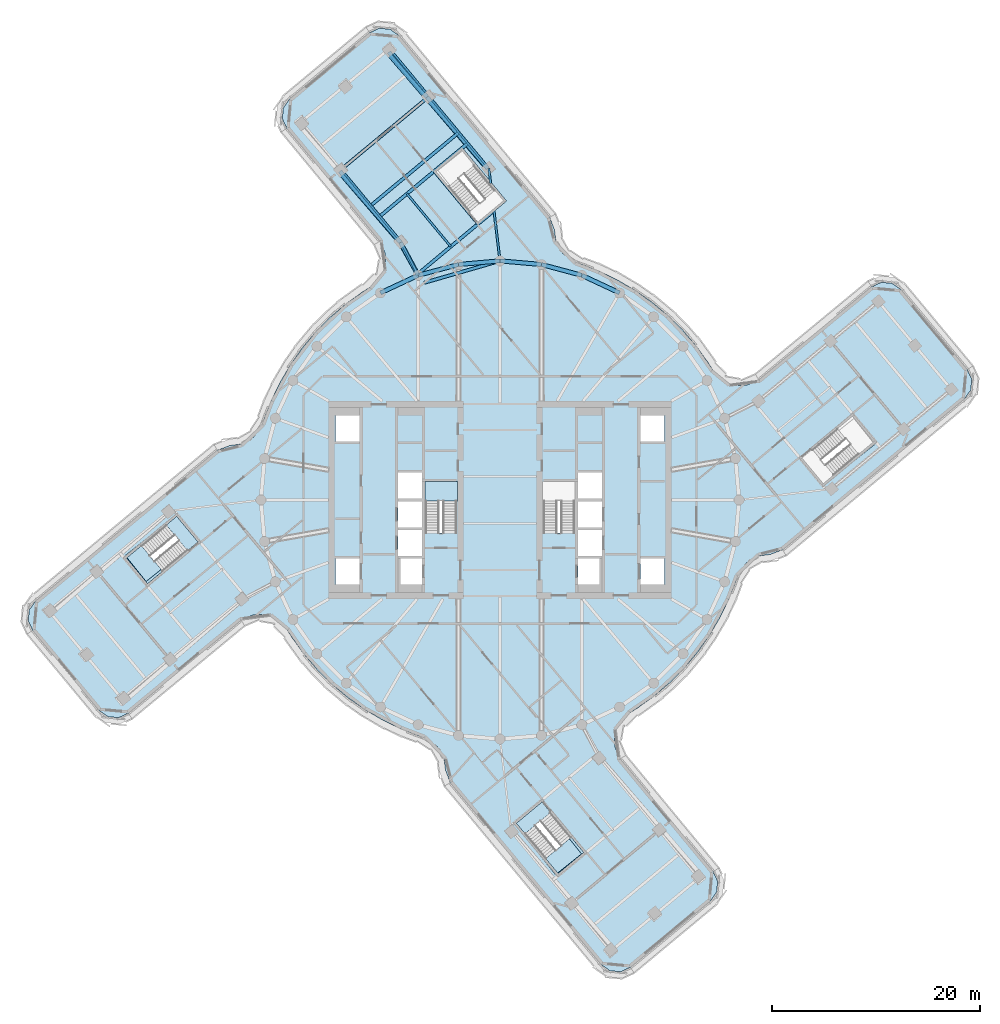
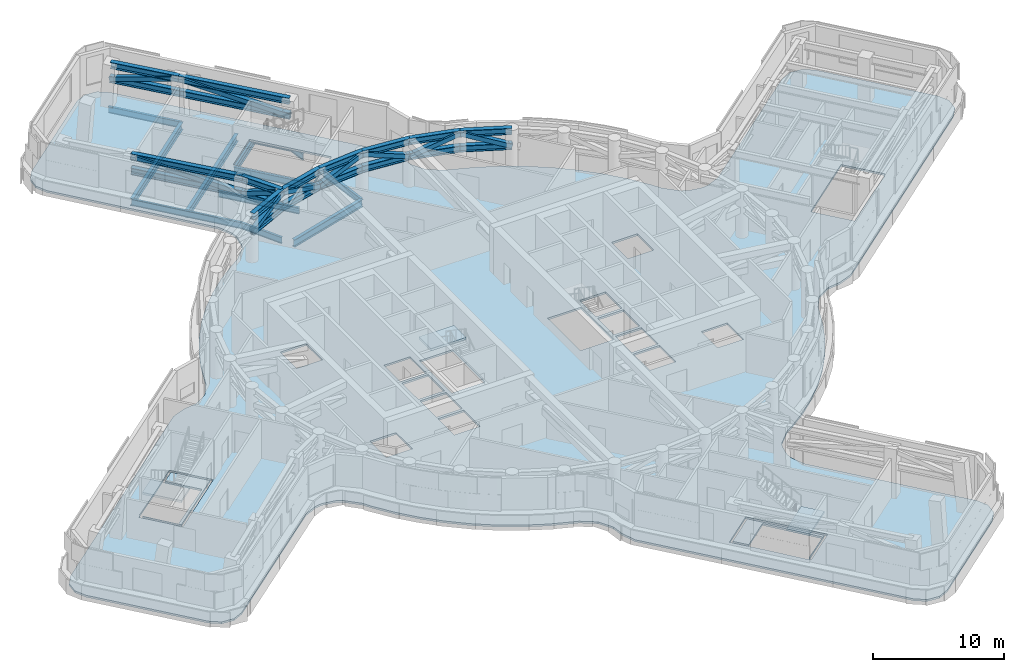
# One storey, part 5 of 22: 30 members, 13 beams, 6 slabs, 3 elements without a shape of their own.
"""IFC4 building model written with IfcOpenShell, lengths in metres."""

from ifc_helpers import new_model, si_unit, direction, frame, origin, origin_2d, place, context, subcontext, project, spatial, polyline, hollow_rectangle, i_section, outline, extrude, material, layer, layer_set, material_profile, profile_set, type_object, element, aggregate, save


model = new_model("IFC4")

# Units and contexts
model_context = context("Model", 3, precision=1e-05, world=origin(), true_north=direction((0.0, 1.0)))
body_context = subcontext(model_context, "Body", "Model", "MODEL_VIEW")
ifc_project = project(units=[si_unit("LENGTHUNIT", "METRE"), si_unit("AREAUNIT", "SQUARE_METRE"), si_unit("VOLUMEUNIT", "CUBIC_METRE"), si_unit("PLANEANGLEUNIT", "RADIAN"), si_unit("MASSUNIT", "GRAM", prefix="KILO")], contexts=[model_context])

# Site, building, storey
site_placement = place(None, origin())
site = spatial("IfcSite", under=ifc_project, at=site_placement, CompositionType="ELEMENT")
building_placement = place(site_placement, origin())
building = spatial("IfcBuilding", under=site, at=building_placement, Name="Tamarind Cross Interchange Tower", CompositionType="ELEMENT")
storey_placement = place(building_placement, frame((0.0, 0.0, 178.0)))
storey = spatial("IfcBuildingStorey", under=building, at=storey_placement, Name="L44", CompositionType="ELEMENT", Elevation=178.0)

# Beams
ifc_material_1 = material(Name="Steel Q355B", Category="steel")
ifc_material_profile_1 = material_profile(ifc_material_1, i_section(OverallWidth=0.199951171875, OverallDepth=0.60009765625, WebThickness=0.010986328125, FlangeThickness=0.01708984375, FilletRadius=0.012939453125, at=origin_2d()), Name="HN 600x200x11x17")
ifc_profile_set_1 = profile_set([ifc_material_profile_1], Name="Steel Q355B")
beam_type_1 = type_object("IfcBeamType", Name="Composite beam HN 600x200x11x17 Q355B", PredefinedType="BEAM", material=ifc_profile_set_1)
beam_1_placement = place(storey_placement, frame((-10.63232421875, 43.41552734375, -0.47998046875), z_axis=(0.638803347594, -0.769370056022, 0.0), x_axis=(0.769370056022, 0.638803347594, 0.0)))
element("IfcBeam", 1, at=beam_1_placement, inside=storey, type_object=beam_type_1, Name="Beam N-edgeem5", PredefinedType="BEAM", context=body_context, shape_type="SweptSolid", body=[
    extrude(i_section(OverallWidth=0.199951171875, OverallDepth=0.60009765625, WebThickness=0.010986328125, FlangeThickness=0.01708984375, FilletRadius=0.012939453125, at=origin_2d()), origin(), (0.0, 0.0, 1.0), 5.968505859375),
])
for number, where, z_axis, x_axis, name in (
    (2, (-6.819580078125, 38.823486328125, -0.47998046875), (0.638790523105, -0.769380703937, 0.0), (0.769380703937, 0.638790523105, 0.0), "Beam N-edgeem6"),
    (3, (-15.28271484375, 31.796630859375, -0.47998046875), (0.638790523105, -0.769380703937, 0.0), (0.769380703937, 0.638790523105, 0.0), "Beam N-edgeep3"),
):
    element("IfcBeam", number, at=place(storey_placement, frame(where, z_axis=z_axis, x_axis=x_axis)), inside=storey, type_object=beam_type_1, Name=name, PredefinedType="BEAM", context=body_context, shape_type="SweptSolid", body=[
        extrude(i_section(OverallWidth=0.199951171875, OverallDepth=0.60009765625, WebThickness=0.010986328125, FlangeThickness=0.01708984375, FilletRadius=0.012939453125, at=origin_2d()), origin(), (0.0, 0.0, 1.0), 8.999755859375),
    ])
beam_2_placement = place(storey_placement, frame((-1.070556640625, 31.899169921875, -0.47998046875), z_axis=(0.119491092996, -0.992835272689, 0.0), x_axis=(0.992835272689, 0.119491092996, 0.0)))
element("IfcBeam", 4, at=beam_2_placement, inside=storey, type_object=beam_type_1, Name="Beam N-linkemt0", PredefinedType="BEAM", context=body_context, shape_type="SweptSolid", body=[
    extrude(i_section(OverallWidth=0.199951171875, OverallDepth=0.60009765625, WebThickness=0.010986328125, FlangeThickness=0.01708984375, FilletRadius=0.012939453125, at=origin_2d()), origin(), (0.0, 0.0, 1.0), 1.47509765625),
])
beam_3_placement = place(storey_placement, frame((-0.587158203125, 27.88134765625, -0.47998046875), z_axis=(0.119425222156, -0.992843198251, 0.0), x_axis=(0.992843198251, 0.119425222156, 0.0)))
element("IfcBeam", 5, at=beam_3_placement, inside=storey, type_object=beam_type_1, Name="Beam N-linkemt1", PredefinedType="BEAM", context=body_context, shape_type="SweptSolid", body=[
    extrude(i_section(OverallWidth=0.199951171875, OverallDepth=0.60009765625, WebThickness=0.010986328125, FlangeThickness=0.01708984375, FilletRadius=0.012939453125, at=origin_2d()), origin(), (0.0, 0.0, 1.0), 4.91650390625),
])
beam_4_placement = place(storey_placement, frame((-9.53369140625, 24.872314453125, -0.47998046875), z_axis=(0.455410658908, -0.890281490178, 0.0), x_axis=(0.890281490178, 0.455410658908, 0.0)))
element("IfcBeam", 6, at=beam_4_placement, inside=storey, type_object=beam_type_1, Name="Beam N-linkep", PredefinedType="BEAM", context=body_context, shape_type="SweptSolid", body=[
    extrude(i_section(OverallWidth=0.199951171875, OverallDepth=0.60009765625, WebThickness=0.010986328125, FlangeThickness=0.01708984375, FilletRadius=0.012939453125, at=origin_2d()), origin(), (0.0, 0.0, 1.0), 3.660888671875),
])
for number, where, z_axis, x_axis, name in (
    (7, (-2.136474609375, 26.530029296875, -0.47998046875), (-0.63879710552, 0.769375238735, 0.0), (-0.769375238735, -0.63879710552, 0.0), "Beam N-tr1"),
    (8, (-4.733154296875, 24.3740234375, -0.47998046875), (-0.63879710552, 0.769375238735, 0.0), (-0.769375238735, -0.63879710552, 0.0), "Beam N-stripp"),
):
    element("IfcBeam", number, at=place(storey_placement, frame(where, z_axis=z_axis, x_axis=x_axis)), inside=storey, type_object=beam_type_1, Name=name, PredefinedType="BEAM", context=body_context, shape_type="SweptSolid", body=[
        extrude(i_section(OverallWidth=0.199951171875, OverallDepth=0.60009765625, WebThickness=0.010986328125, FlangeThickness=0.01708984375, FilletRadius=0.012939453125, at=origin_2d()), origin(), (0.0, 0.0, 1.0), 6.60009765625),
    ])
ifc_material_profile_2 = material_profile(ifc_material_1, i_section(OverallWidth=0.300048828125, OverallDepth=0.699951171875, WebThickness=0.012939453125, FlangeThickness=0.02392578125, FilletRadius=0.01806640625, at=origin_2d()), Name="HN 700x300x13x24")
ifc_profile_set_2 = profile_set([ifc_material_profile_2], Name="Steel Q355B")
beam_type_2 = type_object("IfcBeamType", Name="Composite beam HN 700x300x13x24 Q355B", PredefinedType="BEAM", material=ifc_profile_set_2)
beam_5_placement = place(storey_placement, frame((-0.580078125, 27.822265625, -0.530029296875), z_axis=(-0.769373120341, -0.638799656932, 0.0), x_axis=(0.638799656932, -0.769373120341, 0.0)))
element("IfcBeam", 9, at=beam_5_placement, inside=storey, type_object=beam_type_2, Name="Beam N-x268", PredefinedType="BEAM", context=body_context, shape_type="SweptSolid", body=[
    extrude(i_section(OverallWidth=0.300048828125, OverallDepth=0.699951171875, WebThickness=0.012939453125, FlangeThickness=0.02392578125, FilletRadius=0.01806640625, at=origin_2d()), origin(), (0.0, 0.0, 1.0), 9.545166015625),
])
for number, where, z_axis, x_axis, name in (
    (10, (-3.082763671875, 34.32275390625, -0.530029296875), (-0.769371602715, -0.638801484764, 0.0), (0.638801484764, -0.769371602715, 0.0), "Beam N-x334"),
    (11, (-6.819580078125, 38.823486328125, -0.530029296875), (-0.769371602715, -0.638801484764, 0.0), (0.638801484764, -0.769371602715, 0.0), "Beam N-x393"),
):
    element("IfcBeam", number, at=place(storey_placement, frame(where, z_axis=z_axis, x_axis=x_axis)), inside=storey, type_object=beam_type_2, Name=name, PredefinedType="BEAM", context=body_context, shape_type="SweptSolid", body=[
        extrude(i_section(OverallWidth=0.300048828125, OverallDepth=0.699951171875, WebThickness=0.012939453125, FlangeThickness=0.02392578125, FilletRadius=0.01806640625, at=origin_2d()), origin(), (0.0, 0.0, 1.0), 11.0),
    ])
beam_6_placement = place(storey_placement, frame((0.0, 23.0, -0.530029296875), z_axis=(-0.960743791751, -0.27743713993, 0.0), x_axis=(0.27743713993, -0.960743791751, 0.0)))
element("IfcBeam", 12, at=beam_6_placement, inside=storey, type_object=beam_type_2, Name="Beam N-x258", PredefinedType="BEAM", context=body_context, shape_type="SweptSolid", body=[
    extrude(i_section(OverallWidth=0.300048828125, OverallDepth=0.699951171875, WebThickness=0.012939453125, FlangeThickness=0.02392578125, FilletRadius=0.01806640625, at=origin_2d()), origin(), (0.0, 0.0, 1.0), 7.5712890625),
])
beam_7_placement = place(storey_placement, frame((-3.945068359375, 35.361328125, -0.530029296875), z_axis=(-0.769371602715, -0.638801484764, 0.0), x_axis=(0.638801484764, -0.769371602715, 0.0)))
element("IfcBeam", 13, at=beam_7_placement, inside=storey, type_object=beam_type_2, Name="Beam N-x348", PredefinedType="BEAM", context=body_context, shape_type="SweptSolid", body=[
    extrude(i_section(OverallWidth=0.300048828125, OverallDepth=0.699951171875, WebThickness=0.012939453125, FlangeThickness=0.02392578125, FilletRadius=0.01806640625, at=origin_2d()), origin(), (0.0, 0.0, 1.0), 11.0),
])

# Members
ifc_material_2 = material(Name="Steel Q420B", Category="steel")
ifc_material_profile_3 = material_profile(ifc_material_2, i_section(OverallWidth=0.39990234375, OverallDepth=0.60009765625, WebThickness=0.02490234375, FlangeThickness=0.0400390625, at=origin_2d()), Name="BH 600x400x25x40")
ifc_profile_set_3 = profile_set([ifc_material_profile_3], Name="Steel Q420B")
member_type_1 = type_object("IfcMemberType", Name="Truss chord BH 600x400x25x40 Q420B", PredefinedType="CHORD", material=ifc_profile_set_3)
for number, where, z_axis, x_axis, name in (
    (14, (11.5, 19.918701171875, 4.06005859375), (-0.906309113636, 0.422615416827, 0.0), (-0.422615416827, -0.906309113636, 0.0), "Belt truss ring top H06"),
    (15, (11.5, 19.918701171875, 2.64990234375), (-0.906309113636, 0.422615416827, 0.0), (-0.422615416827, -0.906309113636, 0.0), "Belt truss ring bottom H06"),
):
    element("IfcMember", number, at=place(storey_placement, frame(where, z_axis=z_axis, x_axis=x_axis)), inside=storey, type_object=member_type_1, Name=name, PredefinedType="CHORD", context=body_context, shape_type="SweptSolid", body=[
        extrude(i_section(OverallWidth=0.39990234375, OverallDepth=0.60009765625, WebThickness=0.02490234375, FlangeThickness=0.0400390625, at=origin_2d()), origin(), (0.0, 0.0, 1.0), 4.00927734375),
    ])
for number, where, z_axis, x_axis, name in (
    (16, (7.866455078125, 21.613037109375, 4.06005859375), (-0.96592902462, 0.258807108475, 0.0), (-0.258807108475, -0.96592902462, 0.0), "Belt truss ring top H07"),
    (17, (7.866455078125, 21.613037109375, 2.64990234375), (-0.96592902462, 0.258807108475, 0.0), (-0.258807108475, -0.96592902462, 0.0), "Belt truss ring bottom H07"),
    (18, (3.993896484375, 22.650634765625, 4.06005859375), (-0.996195898445, 0.087142021558, 0.0), (-0.087142021558, -0.996195898445, 0.0), "Belt truss ring top H08"),
    (19, (3.993896484375, 22.650634765625, 2.64990234375), (-0.996195898445, 0.087142021558, 0.0), (-0.087142021558, -0.996195898445, 0.0), "Belt truss ring bottom H08"),
    (20, (0.0, 23.0, 4.06005859375), (-0.996195898445, -0.087142021558, 0.0), (0.087142021558, -0.996195898445, 0.0), "Belt truss ring top H09"),
    (21, (0.0, 23.0, 2.64990234375), (-0.996195898445, -0.087142021558, 0.0), (0.087142021558, -0.996195898445, 0.0), "Belt truss ring bottom H09"),
    (22, (-3.993896484375, 22.650634765625, 4.06005859375), (-0.96592902462, -0.258807108475, 0.0), (0.258807108475, -0.96592902462, 0.0), "Belt truss ring top H10"),
    (23, (-3.993896484375, 22.650634765625, 2.64990234375), (-0.96592902462, -0.258807108475, 0.0), (0.258807108475, -0.96592902462, 0.0), "Belt truss ring bottom H10"),
):
    element("IfcMember", number, at=place(storey_placement, frame(where, z_axis=z_axis, x_axis=x_axis)), inside=storey, type_object=member_type_1, Name=name, PredefinedType="CHORD", context=body_context, shape_type="SweptSolid", body=[
        extrude(i_section(OverallWidth=0.39990234375, OverallDepth=0.60009765625, WebThickness=0.02490234375, FlangeThickness=0.0400390625, at=origin_2d()), origin(), (0.0, 0.0, 1.0), 4.009033203125),
    ])
for number, where, z_axis, x_axis, name in (
    (24, (-7.866455078125, 21.613037109375, 4.06005859375), (-0.906309113636, -0.422615416827, 0.0), (0.422615416827, -0.906309113636, 0.0), "Belt truss ring top H11"),
    (25, (-7.866455078125, 21.613037109375, 2.64990234375), (-0.906309113636, -0.422615416827, 0.0), (0.422615416827, -0.906309113636, 0.0), "Belt truss ring bottom H11"),
):
    element("IfcMember", number, at=place(storey_placement, frame(where, z_axis=z_axis, x_axis=x_axis)), inside=storey, type_object=member_type_1, Name=name, PredefinedType="CHORD", context=body_context, shape_type="SweptSolid", body=[
        extrude(i_section(OverallWidth=0.39990234375, OverallDepth=0.60009765625, WebThickness=0.02490234375, FlangeThickness=0.0400390625, at=origin_2d()), origin(), (0.0, 0.0, 1.0), 4.00927734375),
    ])
for number, where, z_axis, x_axis, name in (
    (26, (-15.447265625, 31.534912109375, 4.06005859375), (0.651818429076, -0.758375062563, 0.0), (0.758375062563, 0.651818429076, 0.0), "Belt truss arm Nep top"),
    (27, (-15.392578125, 31.6220703125, 2.64990234375), (0.647503519022, -0.762062459943, 0.0), (0.762062459943, 0.647503519022, 0.0), "Belt truss arm Nep bottom"),
):
    element("IfcMember", number, at=place(storey_placement, frame(where, z_axis=z_axis, x_axis=x_axis)), inside=storey, type_object=member_type_1, Name=name, PredefinedType="CHORD", context=body_context, shape_type="SweptSolid", body=[
        extrude(i_section(OverallWidth=0.39990234375, OverallDepth=0.60009765625, WebThickness=0.02490234375, FlangeThickness=0.0400390625, at=origin_2d()), origin(), (0.0, 0.0, 1.0), 8.999755859375),
    ])
member_1_placement = place(storey_placement, frame((-9.5810546875, 24.709716796875, 4.06005859375), z_axis=(0.484395072501, -0.874849366312, 0.0), x_axis=(0.874849366312, 0.484395072501, 0.0)))
element("IfcMember", 28, at=member_1_placement, inside=storey, type_object=member_type_1, Name="Belt truss arm Nep top", PredefinedType="CHORD", context=body_context, shape_type="SweptSolid", body=[
    extrude(i_section(OverallWidth=0.39990234375, OverallDepth=0.60009765625, WebThickness=0.02490234375, FlangeThickness=0.0400390625, at=origin_2d()), origin(), (0.0, 0.0, 1.0), 3.53955078125),
])
member_2_placement = place(storey_placement, frame((-9.565185546875, 24.763671875, 2.64990234375), z_axis=(0.474583770251, -0.880210341347, 0.0), x_axis=(0.880210341347, 0.474583770251, 0.0)))
element("IfcMember", 29, at=member_2_placement, inside=storey, type_object=member_type_1, Name="Belt truss arm Nep bottom", PredefinedType="CHORD", context=body_context, shape_type="SweptSolid", body=[
    extrude(i_section(OverallWidth=0.39990234375, OverallDepth=0.60009765625, WebThickness=0.02490234375, FlangeThickness=0.0400390625, at=origin_2d()), origin(), (0.0, 0.0, 1.0), 3.579345703125),
])
member_3_placement = place(storey_placement, frame((-10.7177734375, 42.908935546875, 4.06005859375), z_axis=(0.651730324119, -0.758450779302, 0.0), x_axis=(0.758450779302, 0.651730324119, 0.0)))
element("IfcMember", 30, at=member_3_placement, inside=storey, type_object=member_type_1, Name="Belt truss arm Nem top", PredefinedType="CHORD", context=body_context, shape_type="SweptSolid", body=[
    extrude(i_section(OverallWidth=0.39990234375, OverallDepth=0.60009765625, WebThickness=0.02490234375, FlangeThickness=0.0400390625, at=origin_2d()), origin(), (0.0, 0.0, 1.0), 5.54296875),
])
member_4_placement = place(storey_placement, frame((-10.689208984375, 43.077392578125, 2.64990234375), z_axis=(0.647229409188, -0.76229527867, 0.0), x_axis=(0.76229527867, 0.647229409188, 0.0)))
element("IfcMember", 31, at=member_4_placement, inside=storey, type_object=member_type_1, Name="Belt truss arm Nem bottom", PredefinedType="CHORD", context=body_context, shape_type="SweptSolid", body=[
    extrude(i_section(OverallWidth=0.39990234375, OverallDepth=0.60009765625, WebThickness=0.02490234375, FlangeThickness=0.0400390625, at=origin_2d()), origin(), (0.0, 0.0, 1.0), 5.68408203125),
])
member_5_placement = place(storey_placement, frame((-7.105224609375, 38.704833984375, 4.06005859375), z_axis=(0.651805019531, -0.758386587773, 0.0), x_axis=(0.758386587773, 0.651805019531, 0.0)))
element("IfcMember", 32, at=member_5_placement, inside=storey, type_object=member_type_1, Name="Belt truss arm Nem top", PredefinedType="CHORD", context=body_context, shape_type="SweptSolid", body=[
    extrude(i_section(OverallWidth=0.39990234375, OverallDepth=0.60009765625, WebThickness=0.02490234375, FlangeThickness=0.0400390625, at=origin_2d()), origin(), (0.0, 0.0, 1.0), 9.0),
])
member_6_placement = place(storey_placement, frame((-7.01025390625, 38.744384765625, 2.64990234375), z_axis=(0.647503519022, -0.762062459943, 0.0), x_axis=(0.762062459943, 0.647503519022, 0.0)))
element("IfcMember", 33, at=member_6_placement, inside=storey, type_object=member_type_1, Name="Belt truss arm Nem bottom", PredefinedType="CHORD", context=body_context, shape_type="SweptSolid", body=[
    extrude(i_section(OverallWidth=0.39990234375, OverallDepth=0.60009765625, WebThickness=0.02490234375, FlangeThickness=0.0400390625, at=origin_2d()), origin(), (0.0, 0.0, 1.0), 8.999755859375),
])
ifc_material_profile_4 = material_profile(ifc_material_2, hollow_rectangle(XDim=0.39990234375, YDim=0.39990234375, WallThickness=0.02490234375, at=origin_2d()), Name="BOX 400x400x25")
ifc_profile_set_4 = profile_set([ifc_material_profile_4], Name="Steel Q420B")
member_type_2 = type_object("IfcMemberType", Name="Truss diagonal BOX 400x400x25 Q420B", PredefinedType="BRACE", material=ifc_profile_set_4)
for number, where, z_axis, x_axis, name in (
    (34, (11.5, 19.918701171875, 2.64990234375), (-0.854964440887, 0.398673198935, 0.33180639727), (-0.422615416827, -0.906309113636, 0.0), "Belt truss ring diagonal H06"),
    (35, (7.866455078125, 21.613037109375, 4.06005859375), (-0.911206410564, 0.244144953026, -0.33180735263), (-0.258807108475, -0.96592902462, 0.0), "Belt truss ring diagonal H07"),
    (36, (3.993896484375, 22.650634765625, 2.64990234375), (-0.939758407255, 0.082205164178, 0.331807846464), (-0.087142021558, -0.996195898445, 0.0), "Belt truss ring diagonal H08"),
    (37, (0.0, 23.0, 4.06005859375), (-0.939758407255, -0.082205164178, -0.331807846464), (0.087142021558, -0.996195898445, 0.0), "Belt truss ring diagonal H09"),
    (38, (-3.993896484375, 22.650634765625, 2.64990234375), (-0.911206410564, -0.244144953026, 0.33180735263), (0.258807108475, -0.96592902462, 0.0), "Belt truss ring diagonal H10"),
    (39, (-7.866455078125, 21.613037109375, 4.06005859375), (-0.854964440887, -0.398673198935, -0.33180639727), (0.422615416827, -0.906309113636, 0.0), "Belt truss ring diagonal H11"),
):
    element("IfcMember", number, at=place(storey_placement, frame(where, z_axis=z_axis, x_axis=x_axis)), inside=storey, type_object=member_type_2, Name=name, PredefinedType="BRACE", context=body_context, shape_type="SweptSolid", body=[
        extrude(hollow_rectangle(XDim=0.39990234375, YDim=0.39990234375, WallThickness=0.02490234375, at=origin_2d()), origin(), (0.0, 0.0, 1.0), 4.25),
    ])
member_7_placement = place(storey_placement, frame((-15.447265625, 31.534912109375, 4.06005859375), z_axis=(0.647842711591, -0.745773361805, -0.155312310719), x_axis=(0.754934171629, 0.655800576782, 0.0)))
element("IfcMember", 40, at=member_7_placement, inside=storey, type_object=member_type_2, Name="Belt truss arm Nep diagonal", PredefinedType="BRACE", context=body_context, shape_type="SweptSolid", body=[
    extrude(hollow_rectangle(XDim=0.39990234375, YDim=0.39990234375, WallThickness=0.02490234375, at=origin_2d()), origin(), (0.0, 0.0, 1.0), 9.07958984375),
])
member_8_placement = place(storey_placement, frame((-9.565185546875, 24.763671875, 2.64990234375), z_axis=(0.441553140108, -0.818948443962, 0.366543681699), x_axis=(0.880210341347, 0.474583770251, 0.0)))
element("IfcMember", 41, at=member_8_placement, inside=storey, type_object=member_type_2, Name="Belt truss arm Nep diagonal", PredefinedType="BRACE", context=body_context, shape_type="SweptSolid", body=[
    extrude(hollow_rectangle(XDim=0.39990234375, YDim=0.39990234375, WallThickness=0.02490234375, at=origin_2d()), origin(), (0.0, 0.0, 1.0), 3.84716796875),
])
member_9_placement = place(storey_placement, frame((-10.689208984375, 43.077392578125, 2.64990234375), z_axis=(0.615075755353, -0.750409181088, 0.242008008373), x_axis=(0.773399046326, 0.633919486324, 0.0)))
element("IfcMember", 42, at=member_9_placement, inside=storey, type_object=member_type_2, Name="Belt truss arm Nem diagonal", PredefinedType="BRACE", context=body_context, shape_type="SweptSolid", body=[
    extrude(hollow_rectangle(XDim=0.39990234375, YDim=0.39990234375, WallThickness=0.02490234375, at=origin_2d()), origin(), (0.0, 0.0, 1.0), 5.826904296875),
])
member_10_placement = place(storey_placement, frame((-7.105224609375, 38.704833984375, 4.06005859375), z_axis=(0.647883380244, -0.745955264664, -0.154265578543), x_axis=(0.754992969748, 0.655732884359, 0.0)))
element("IfcMember", 43, at=member_10_placement, inside=storey, type_object=member_type_2, Name="Belt truss arm Nem diagonal", PredefinedType="BRACE", context=body_context, shape_type="SweptSolid", body=[
    extrude(hollow_rectangle(XDim=0.39990234375, YDim=0.39990234375, WallThickness=0.02490234375, at=origin_2d()), origin(), (0.0, 0.0, 1.0), 9.14111328125),
])

# Slabs
ifc_material_3 = material(Name="Concrete C40", Category="concrete")
ifc_layer_1 = layer(ifc_material_3, 0.179931640625)
ifc_layer_set_1 = layer_set([ifc_layer_1], Name="Concrete C40")
slab_type_1 = type_object("IfcSlabType", Name="Composite slab 180 Concrete C40", PredefinedType="FLOOR", material=ifc_layer_set_1)
slab_1_placement = place(storey_placement, frame((0.0, 0.0, -0.179931640625)))
element("IfcSlab", 44, at=slab_1_placement, inside=storey, type_object=slab_type_1, Name="Floor slab L44", PredefinedType="FLOOR", context=body_context, shape_type="SweptSolid", body=[
    extrude(outline(polyline([(-25.955322265625, 5.250732421875), (-27.18896484375, 4.7900390625), (-44.683349609375, -9.7353515625), (-45.281494140625, -10.580322265625), (-45.377197265625, -11.611083984375), (-44.944580078125, -12.5517578125), (-38.556396484375, -20.245361328125), (-37.71142578125, -20.843505859375), (-36.6806640625, -20.939208984375), (-35.739990234375, -20.506591796875), (-24.895263671875, -11.555419921875), (-23.729248046875, -11.05517578125), (-23.177490234375, -10.989990234375), (-22.070556640625, -11.180419921875), (-21.572021484375, -11.426025390625), (-20.46044921875, -12.508544921875), (-20.031982421875, -13.2109375), (-18.87255859375, -14.820068359375), (-17.584228515625, -16.327880859375), (-16.17578125, -17.72412109375), (-14.656982421875, -18.99951171875), (-13.0380859375, -20.14501953125), (-11.329833984375, -21.15283203125), (-9.54443359375, -22.01611328125), (-7.7724609375, -22.703857421875), (-7.268798828125, -22.8828125), (-6.056396484375, -23.691162109375), (-5.391357421875, -24.856689453125), (-5.250732421875, -25.955322265625), (-4.7900390625, -27.18896484375), (9.7353515625, -44.683349609375), (10.580322265625, -45.281494140625), (11.611083984375, -45.377197265625), (12.5517578125, -44.944580078125), (20.245361328125, -38.556396484375), (20.843505859375, -37.71142578125), (20.939208984375, -36.6806640625), (20.506591796875, -35.739990234375), (11.555419921875, -24.895263671875), (11.05517578125, -23.729248046875), (10.989990234375, -23.177490234375), (11.180419921875, -22.070556640625), (11.426025390625, -21.572021484375), (12.508544921875, -20.46044921875), (13.2109375, -20.031982421875), (14.820068359375, -18.87255859375), (16.327880859375, -17.584228515625), (17.72412109375, -16.17578125), (18.99951171875, -14.656982421875), (20.14501953125, -13.0380859375), (21.15283203125, -11.329833984375), (22.01611328125, -9.54443359375), (22.703857421875, -7.7724609375), (22.8828125, -7.268798828125), (23.691162109375, -6.056396484375), (24.856689453125, -5.391357421875), (25.955322265625, -5.250732421875), (27.18896484375, -4.7900390625), (44.683349609375, 9.7353515625), (45.281494140625, 10.580322265625), (45.377197265625, 11.611083984375), (44.944580078125, 12.5517578125), (38.556396484375, 20.245361328125), (37.71142578125, 20.843505859375), (36.6806640625, 20.939208984375), (35.739990234375, 20.506591796875), (24.895263671875, 11.555419921875), (23.729248046875, 11.05517578125), (23.177490234375, 10.989990234375), (22.070556640625, 11.180419921875), (21.572021484375, 11.426025390625), (20.46044921875, 12.508544921875), (20.031982421875, 13.2109375), (18.87255859375, 14.820068359375), (17.584228515625, 16.327880859375), (16.17578125, 17.72412109375), (14.656982421875, 18.99951171875), (13.0380859375, 20.14501953125), (11.329833984375, 21.15283203125), (9.54443359375, 22.01611328125), (7.7724609375, 22.703857421875), (7.268798828125, 22.8828125), (6.056396484375, 23.691162109375), (5.391357421875, 24.856689453125), (5.250732421875, 25.955322265625), (4.7900390625, 27.18896484375), (-9.7353515625, 44.683349609375), (-10.580322265625, 45.281494140625), (-11.611083984375, 45.377197265625), (-12.5517578125, 44.944580078125), (-20.245361328125, 38.556396484375), (-20.843505859375, 37.71142578125), (-20.939208984375, 36.6806640625), (-20.506591796875, 35.739990234375), (-11.555419921875, 24.895263671875), (-11.05517578125, 23.729248046875), (-10.989990234375, 23.177490234375), (-11.180419921875, 22.070556640625), (-11.426025390625, 21.572021484375), (-12.508544921875, 20.46044921875), (-13.2109375, 20.031982421875), (-14.820068359375, 18.87255859375), (-16.327880859375, 17.584228515625), (-17.72412109375, 16.17578125), (-18.99951171875, 14.656982421875), (-20.14501953125, 13.0380859375), (-21.15283203125, 11.329833984375), (-22.01611328125, 9.54443359375), (-22.703857421875, 7.7724609375), (-22.8828125, 7.268798828125), (-23.691162109375, 6.056396484375), (-24.856689453125, 5.391357421875), (-25.955322265625, 5.250732421875)]), holes=[polyline([(-31.0673828125, -1.289794921875), (-30.939697265625, -1.443603515625), (-28.8955078125, -3.905517578125), (-28.767578125, -4.059326171875), (-33.922607421875, -8.33935546875), (-34.05029296875, -8.185546875), (-36.094482421875, -5.723388671875), (-36.22216796875, -5.569580078125), (-36.002685546875, -5.387451171875), (-36.040283203125, -5.340576171875), (-33.471435546875, -3.28564453125), (-31.0673828125, -1.289794921875)]), polyline([(-7.5, -8.125), (-9.800048828125, -8.125), (-9.800048828125, -5.625), (-7.5, -5.625), (-7.5, -8.125)]), polyline([(-13.5, -8.125), (-15.800048828125, -8.125), (-15.800048828125, -5.625), (-13.5, -5.625), (-13.5, -8.125)]), polyline([(-7.5, -5.375), (-9.800048828125, -5.375), (-9.800048828125, -2.875), (-7.5, -2.875), (-7.5, -5.375)]), polyline([(-7.5, -2.625), (-9.800048828125, -2.625), (-9.800048828125, -0.125), (-7.5, -0.125), (-7.5, -2.625)]), polyline([(-4.199951171875, 1.800048828125), (-4.199951171875, -3.18798828125), (-7.14990234375, -3.18798828125), (-7.14990234375, 1.800048828125), (-4.199951171875, 1.800048828125)]), polyline([(-7.5, 0.125), (-9.800048828125, 0.125), (-9.800048828125, 2.625), (-7.5, 2.625), (-7.5, 0.125)]), polyline([(-13.5, 5.625), (-15.800048828125, 5.625), (-15.800048828125, 8.125), (-13.5, 8.125), (-13.5, 5.625)]), polyline([(0.626708984375, 28.75927734375), (0.472900390625, 28.631591796875), (-1.989013671875, 26.58740234375), (-2.14306640625, 26.45947265625), (-6.423095703125, 31.6142578125), (-6.26904296875, 31.7421875), (-3.80712890625, 33.786376953125), (-3.6533203125, 33.9140625), (-3.470703125, 33.694091796875), (-3.466552734375, 33.697509765625), (-3.28564453125, 33.471435546875), (0.626708984375, 28.75927734375)]), polyline([(1.289794921875, -31.0673828125), (1.443603515625, -30.939697265625), (3.905517578125, -28.8955078125), (4.059326171875, -28.767578125), (8.33935546875, -33.922607421875), (8.185546875, -34.05029296875), (5.723388671875, -36.094482421875), (5.569580078125, -36.22216796875), (5.387451171875, -36.002685546875), (5.340576171875, -36.040283203125), (3.28564453125, -33.471435546875), (1.289794921875, -31.0673828125)]), polyline([(13.5, -5.625), (15.800048828125, -5.625), (15.800048828125, -8.125), (13.5, -8.125), (13.5, -5.625)]), polyline([(7.5, -5.625), (9.800048828125, -5.625), (9.800048828125, -8.125), (7.5, -8.125), (7.5, -5.625)]), polyline([(7.5, -2.875), (9.800048828125, -2.875), (9.800048828125, -5.375), (7.5, -5.375), (7.5, -2.875)]), polyline([(7.5, -0.125), (9.800048828125, -0.125), (9.800048828125, -2.625), (7.5, -2.625), (7.5, -0.125)]), polyline([(7.14990234375, 1.800048828125), (7.14990234375, -3.18798828125), (4.199951171875, -3.18798828125), (4.199951171875, 1.800048828125), (7.14990234375, 1.800048828125)]), polyline([(7.5, 2.625), (9.800048828125, 2.625), (9.800048828125, 0.125), (7.5, 0.125), (7.5, 2.625)]), polyline([(31.0673828125, 1.289794921875), (30.939697265625, 1.443603515625), (28.8955078125, 3.905517578125), (28.767578125, 4.059326171875), (33.922607421875, 8.33935546875), (34.05029296875, 8.185546875), (36.094482421875, 5.723388671875), (36.22216796875, 5.569580078125), (36.002685546875, 5.387451171875), (36.040283203125, 5.340576171875), (33.471435546875, 3.28564453125), (31.0673828125, 1.289794921875)]), polyline([(15.800048828125, 8.125), (15.800048828125, 5.625), (13.5, 5.625), (13.5, 8.125), (15.800048828125, 8.125)])]), origin(), (0.0, 0.0, 1.0), 0.179931640625),
])
slab_2_placement = place(storey_placement, frame((0.0, 0.0, -0.179931640625)))
element("IfcSlab", 45, at=slab_2_placement, inside=storey, type_object=slab_type_1, Name="Floor slab L44", PredefinedType="FLOOR", context=body_context, shape_type="SweptSolid", body=[
    extrude(outline(polyline([(-35.9404296875, -5.595703125), (-33.896484375, -8.0576171875), (-29.04931640625, -4.033203125), (-31.093505859375, -1.5712890625), (-32.102783203125, -2.409423828125), (-30.16748046875, -4.740478515625), (-34.041259765625, -7.839599609375), (-35.877685546875, -5.543701171875), (-35.9404296875, -5.595703125)])), origin(), (0.0, 0.0, 1.0), 0.179931640625),
])
slab_3_placement = place(storey_placement, frame((0.0, 0.0, -0.179931640625)))
element("IfcSlab", 46, at=slab_3_placement, inside=storey, type_object=slab_type_1, Name="Floor slab L44", PredefinedType="FLOOR", context=body_context, shape_type="SweptSolid", body=[
    extrude(outline(polyline([(5.595703125, -35.9404296875), (8.0576171875, -33.896484375), (4.033203125, -29.04931640625), (1.5712890625, -31.093505859375), (2.409423828125, -32.102783203125), (4.740478515625, -30.16748046875), (7.839599609375, -34.041259765625), (5.543701171875, -35.877685546875), (5.595703125, -35.9404296875)])), origin(), (0.0, 0.0, 1.0), 0.179931640625),
])

# Stair, slab
ifc_material_4 = material(Name="Exit stair")
stair_type = type_object("IfcStairType", Name="Exit stair", PredefinedType="HALF_TURN_STAIR", material=ifc_material_4)
stair_1_placement = place(storey_placement, origin())
stair_1 = element("IfcStair", 47, at=stair_1_placement, inside=storey, type_object=stair_type, Name="L44 exit stair ST1", PredefinedType="HALF_TURN_STAIR")
ifc_layer_2 = layer(ifc_material_3, 0.199951171875)
ifc_layer_set_2 = layer_set([ifc_layer_2], Name="Concrete C40")
slab_type_2 = type_object("IfcSlabType", Name="Stair landing", PredefinedType="LANDING", material=ifc_layer_set_2)
slab_4_placement = place(storey_placement, frame((0.0, 0.0, 2.050048828125)))
slab_4 = element("IfcSlab", 48, at=slab_4_placement, type_object=slab_type_2, Name="ST1 landing 1", PredefinedType="LANDING", context=body_context, shape_type="SweptSolid", body=[
    extrude(outline(polyline([(-4.10009765625, -0.080078125), (-4.10009765625, 1.800048828125), (-7.199951171875, 1.800048828125), (-7.199951171875, -0.080078125), (-4.10009765625, -0.080078125)])), origin(), (0.0, 0.0, 1.0), 0.199951171875),
])
aggregate(stair_1, [slab_4])

stair_2_placement = place(storey_placement, origin())
stair_2 = element("IfcStair", 49, at=stair_2_placement, inside=storey, type_object=stair_type, Name="L44 exit stair ST5", PredefinedType="HALF_TURN_STAIR")
slab_5_placement = place(storey_placement, frame((0.0, 0.0, 2.050048828125)))
slab_5 = element("IfcSlab", 50, at=slab_5_placement, type_object=slab_type_2, Name="ST5 landing 1", PredefinedType="LANDING", context=body_context, shape_type="SweptSolid", body=[
    extrude(outline(polyline([(-34.48486328125, -4.38720703125), (-35.9404296875, -5.595703125), (-33.896240234375, -8.0576171875), (-32.440673828125, -6.84912109375), (-34.48486328125, -4.38720703125)])), origin(), (0.0, 0.0, 1.0), 0.199951171875),
])
aggregate(stair_2, [slab_5])

stair_3_placement = place(storey_placement, origin())
stair_3 = element("IfcStair", 51, at=stair_3_placement, inside=storey, type_object=stair_type, Name="L44 exit stair ST6", PredefinedType="HALF_TURN_STAIR")
slab_6_placement = place(storey_placement, frame((0.0, 0.0, 2.050048828125)))
slab_6 = element("IfcSlab", 52, at=slab_6_placement, type_object=slab_type_2, Name="ST6 landing 1", PredefinedType="LANDING", context=body_context, shape_type="SweptSolid", body=[
    extrude(outline(polyline([(4.38720703125, -34.48486328125), (5.595703125, -35.9404296875), (8.0576171875, -33.896240234375), (6.84912109375, -32.440673828125), (4.38720703125, -34.48486328125)])), origin(), (0.0, 0.0, 1.0), 0.199951171875),
])
aggregate(stair_3, [slab_6])

save(model, "model.ifc")
